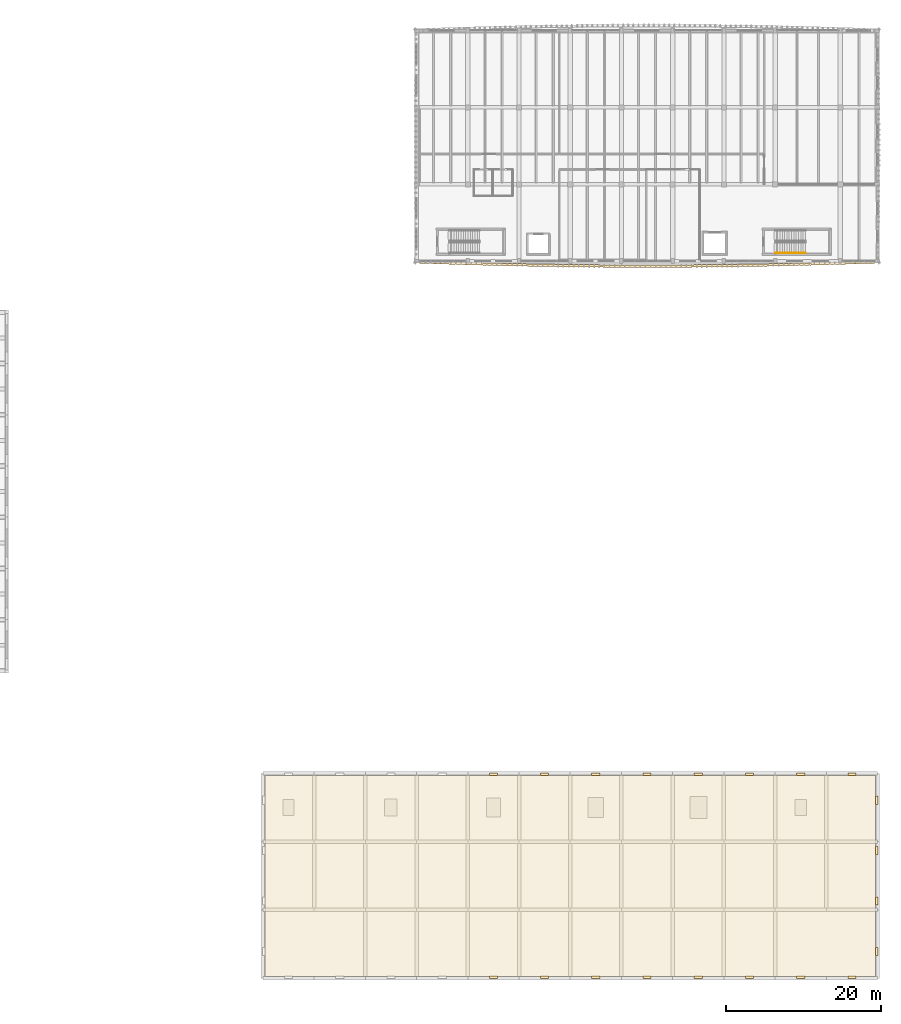
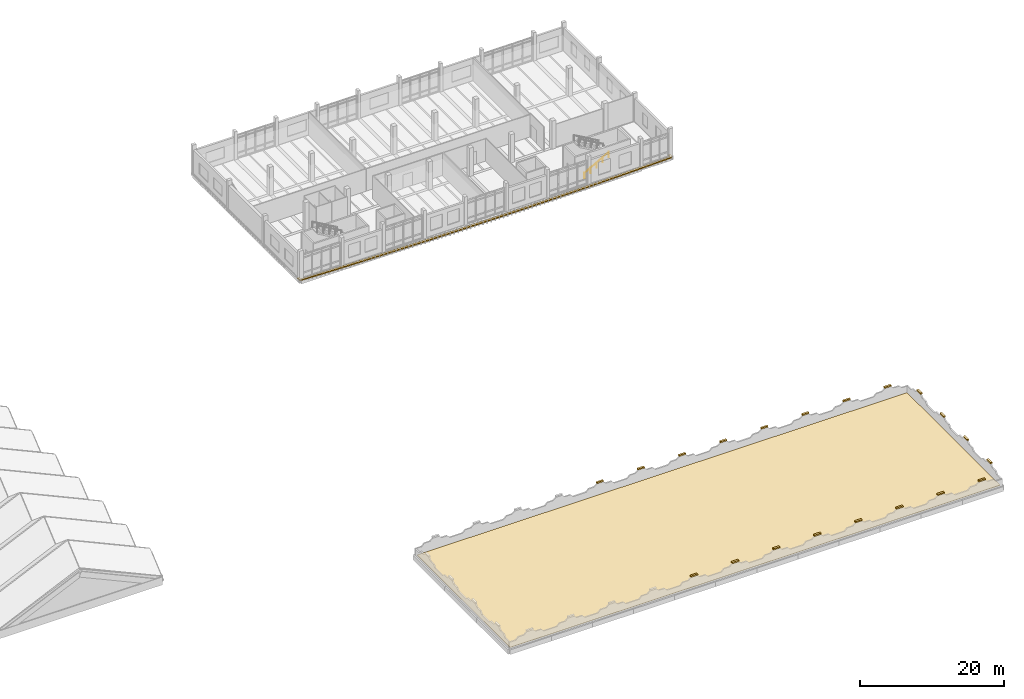
# One storey, part 40 of 50: 22 coverings, 1 railing.
"""IFC4 building model written with IfcOpenShell, lengths in metres."""

from ifc_helpers import new_model, si_unit, direction, frame, origin, origin_2d, place, context, subcontext, project, spatial, polyline, rectangle, circle, outline, extrude, material, layer, layer_set, type_object, element, save


model = new_model("IFC4")

# Units and contexts
model_context = context("Model", 3, precision=1e-05, world=origin(), true_north=direction((0.0, 1.0)))
body_context = subcontext(model_context, "Body", "Model", "MODEL_VIEW")
ifc_project = project(units=[si_unit("LENGTHUNIT", "METRE"), si_unit("AREAUNIT", "SQUARE_METRE"), si_unit("VOLUMEUNIT", "CUBIC_METRE"), si_unit("PLANEANGLEUNIT", "RADIAN"), si_unit("MASSUNIT", "GRAM", prefix="KILO")], contexts=[model_context])

# Site, building, storey
site_placement = place(None, origin())
site = spatial("IfcSite", under=ifc_project, at=site_placement, CompositionType="ELEMENT")
building_placement = place(site_placement, origin())
building = spatial("IfcBuilding", under=site, at=building_placement, Name="Dornvale Research Institute", CompositionType="ELEMENT")
storey_placement = place(building_placement, frame((0.0, 0.0, 19.800048828125)))
storey = spatial("IfcBuildingStorey", under=building, at=storey_placement, Name="L04", CompositionType="ELEMENT", Elevation=19.800048828125)

# Coverings
ifc_material_1 = material(Name="TPO High-Reflectance Cool Roof Membrane and Rigid Insulation")
ifc_layer_1 = layer(ifc_material_1, 0.06005859375)
ifc_layer_set_1 = layer_set([ifc_layer_1], Name="TPO High-Reflectance Cool Roof Membrane and Rigid Insulation")
covering_type_1 = type_object("IfcCoveringType", Name="Covering_CoolRoof_Membrane", PredefinedType="ROOFING", material=ifc_layer_set_1)
covering_1_placement = place(storey_placement, origin())
element("IfcCovering", 1, at=covering_1_placement, inside=storey, type_object=covering_type_1, Name="L04 V3-L04 cool roof membrane", PredefinedType="ROOFING", context=body_context, shape_type="SweptSolid", body=[
    extrude(outline(polyline([(99.25, 0.25), (177.949951171875, 0.25), (177.949951171875, 26.14990234375), (99.25, 26.14990234375), (99.25, 0.25)])), origin(), (0.0, 0.0, 1.0), 0.06005859375),
])
ifc_material_2 = material(Name="Polychrome Trencadis Glazed Ceramic Mosaic Coping")
ifc_layer_2 = layer(ifc_material_2, 0.300048828125)
ifc_layer_set_2 = layer_set([ifc_layer_2], Name="Polychrome Trencadis Glazed Ceramic Mosaic Coping")
covering_type_2 = type_object("IfcCoveringType", Name="Covering_Trencadis_Crown", PredefinedType="CLADDING", material=ifc_layer_set_2)
for number, where, z_axis, x_axis, name in (
    (2, (128.699951171875, 0.110107421875, 2.0), (0.0, 0.0, 1.0), (1.0, 0.0, 0.0), "L04 V3-L04 polychrome trencadis crown coping S-5"),
    (3, (135.300048828125, 0.110107421875, 2.0), (0.0, 0.0, 1.0), (1.0, 0.0, 0.0), "L04 V3-L04 polychrome trencadis crown coping S-6"),
    (4, (141.89990234375, 0.110107421875, 2.0), (0.0, 0.0, 1.0), (1.0, 0.0, 0.0), "L04 V3-L04 polychrome trencadis crown coping S-7"),
    (5, (148.5, 0.110107421875, 2.0), (0.0, 0.0, 1.0), (1.0, 0.0, 0.0), "L04 V3-L04 polychrome trencadis crown coping S-8"),
    (6, (155.10009765625, 0.110107421875, 2.0), (0.0, 0.0, 1.0), (1.0, 0.0, 0.0), "L04 V3-L04 polychrome trencadis crown coping S-9"),
    (7, (161.699951171875, 0.110107421875, 2.0), (0.0, 0.0, 1.0), (1.0, 0.0, 0.0), "L04 V3-L04 polychrome trencadis crown coping S-10"),
    (8, (168.300048828125, 0.110107421875, 2.0), (0.0, 0.0, 1.0), (1.0, 0.0, 0.0), "L04 V3-L04 polychrome trencadis crown coping S-11"),
    (9, (174.89990234375, 0.110107421875, 2.0), (0.0, 0.0, 1.0), (1.0, 0.0, 0.0), "L04 V3-L04 polychrome trencadis crown coping S-12"),
    (10, (128.699951171875, 26.2900390625, 2.0), (0.0, 0.0, 1.0), (1.0, 0.0, 0.0), "L04 V3-L04 polychrome trencadis crown coping N-5"),
    (11, (135.300048828125, 26.2900390625, 2.0), (0.0, 0.0, 1.0), (1.0, 0.0, 0.0), "L04 V3-L04 polychrome trencadis crown coping N-6"),
    (12, (141.89990234375, 26.2900390625, 2.0), (0.0, 0.0, 1.0), (1.0, 0.0, 0.0), "L04 V3-L04 polychrome trencadis crown coping N-7"),
    (13, (148.5, 26.2900390625, 2.0), (0.0, 0.0, 1.0), (1.0, 0.0, 0.0), "L04 V3-L04 polychrome trencadis crown coping N-8"),
    (14, (155.10009765625, 26.2900390625, 2.0), (0.0, 0.0, 1.0), (1.0, 0.0, 0.0), "L04 V3-L04 polychrome trencadis crown coping N-9"),
    (15, (161.699951171875, 26.2900390625, 2.0), (0.0, 0.0, 1.0), (1.0, 0.0, 0.0), "L04 V3-L04 polychrome trencadis crown coping N-10"),
    (16, (168.300048828125, 26.2900390625, 2.0), (0.0, 0.0, 1.0), (1.0, 0.0, 0.0), "L04 V3-L04 polychrome trencadis crown coping N-11"),
    (17, (174.89990234375, 26.2900390625, 2.0), (0.0, 0.0, 1.0), (1.0, 0.0, 0.0), "L04 V3-L04 polychrome trencadis crown coping N-12"),
):
    element("IfcCovering", number, at=place(storey_placement, frame(where, z_axis=z_axis, x_axis=x_axis)), inside=storey, type_object=covering_type_2, Name=name, PredefinedType="CLADDING", context=body_context, shape_type="SweptSolid", body=[
        extrude(rectangle(XDim=1.055908203125, YDim=0.300048828125, at=origin_2d()), origin(), (0.0, 0.0, 1.0), 0.219970703125),
    ])
for number, where, z_axis, x_axis, name in (
    (18, (178.090087890625, 3.465087890625, 2.0), (0.0, 0.0, 1.0), (0.0, 1.0, 0.0), "L04 V3-L04 polychrome trencadis crown coping E-1"),
    (19, (178.090087890625, 9.955078125, 2.0), (0.0, 0.0, 1.0), (0.0, 1.0, 0.0), "L04 V3-L04 polychrome trencadis crown coping E-2"),
    (20, (178.090087890625, 16.445068359375, 2.0), (0.0, 0.0, 1.0), (0.0, 1.0, 0.0), "L04 V3-L04 polychrome trencadis crown coping E-3"),
    (21, (178.090087890625, 22.93505859375, 2.0), (0.0, 0.0, 1.0), (0.0, 1.0, 0.0), "L04 V3-L04 polychrome trencadis crown coping E-4"),
):
    element("IfcCovering", number, at=place(storey_placement, frame(where, z_axis=z_axis, x_axis=x_axis)), inside=storey, type_object=covering_type_2, Name=name, PredefinedType="CLADDING", context=body_context, shape_type="SweptSolid", body=[
        extrude(rectangle(XDim=1.0380859375, YDim=0.300048828125, at=origin_2d()), origin(), (0.0, 0.0, 1.0), 0.219970703125),
    ])
ifc_material_3 = material(Name="Polychrome Glazed Terracotta Visor Rib Ceramic", Category="masonry")
ifc_layer_3 = layer(ifc_material_3, 0.179931640625)
ifc_layer_set_3 = layer_set([ifc_layer_3], Name="Polychrome Glazed Terracotta Visor Rib Ceramic")
covering_type_3 = type_object("IfcCoveringType", Name="Covering_VisorBrim_LowShelf", PredefinedType="CLADDING", material=ifc_layer_set_3)
covering_2_placement = place(storey_placement, frame((0.0, 0.0, -0.260009765625)))
element("IfcCovering", 22, at=covering_2_placement, inside=storey, type_object=covering_type_3, Name="L04 V4 canted bowed-brim visor hood #56", PredefinedType="CLADDING", context=body_context, shape_type="SweptSolid", body=[
    extrude(outline(polyline([(178.459228515625, 92.39990234375), (178.4404296875, 92.302978515625), (178.386474609375, 92.219970703125), (178.3056640625, 92.163330078125), (178.209228515625, 92.14111328125), (176.559326171875, 92.08154296875), (176.558837890625, 92.08154296875), (174.90869140625, 92.025390625), (174.908203125, 92.025390625), (173.25830078125, 91.972900390625), (173.2578125, 91.972900390625), (171.607666015625, 91.923583984375), (171.607177734375, 91.923583984375), (169.957275390625, 91.877685546875), (169.956787109375, 91.877685546875), (168.306640625, 91.835205078125), (168.30615234375, 91.835205078125), (166.656005859375, 91.79638671875), (166.655517578125, 91.79638671875), (165.005615234375, 91.7607421875), (165.005126953125, 91.760498046875), (163.35498046875, 91.728271484375), (163.3544921875, 91.728271484375), (161.70458984375, 91.699462890625), (161.7041015625, 91.699462890625), (160.053955078125, 91.674072265625), (160.053466796875, 91.674072265625), (158.403564453125, 91.65185546875), (158.40283203125, 91.65185546875), (156.7529296875, 91.63330078125), (156.75244140625, 91.63330078125), (155.102294921875, 91.617919921875), (155.101806640625, 91.617919921875), (153.451904296875, 91.606201171875), (153.451416015625, 91.606201171875), (151.80126953125, 91.59765625), (151.80078125, 91.59765625), (150.15087890625, 91.592529296875), (150.150390625, 91.592529296875), (148.500244140625, 91.5908203125), (148.499755859375, 91.5908203125), (146.849609375, 91.592529296875), (146.84912109375, 91.592529296875), (145.19921875, 91.59765625), (145.19873046875, 91.59765625), (143.548583984375, 91.606201171875), (143.548095703125, 91.606201171875), (141.898193359375, 91.617919921875), (141.897705078125, 91.617919921875), (140.24755859375, 91.63330078125), (140.2470703125, 91.63330078125), (138.59716796875, 91.65185546875), (138.596435546875, 91.65185546875), (136.946533203125, 91.674072265625), (136.946044921875, 91.674072265625), (135.2958984375, 91.699462890625), (135.29541015625, 91.699462890625), (133.6455078125, 91.728271484375), (133.64501953125, 91.728271484375), (131.994873046875, 91.760498046875), (131.994384765625, 91.7607421875), (130.344482421875, 91.79638671875), (130.343994140625, 91.79638671875), (128.69384765625, 91.835205078125), (128.693359375, 91.835205078125), (127.043212890625, 91.877685546875), (127.042724609375, 91.877685546875), (125.392822265625, 91.923583984375), (125.392333984375, 91.923583984375), (123.7421875, 91.972900390625), (123.74169921875, 91.972900390625), (122.091796875, 92.025390625), (122.09130859375, 92.025390625), (120.441162109375, 92.08154296875), (120.440673828125, 92.08154296875), (118.790771484375, 92.14111328125), (118.6943359375, 92.163330078125), (118.613525390625, 92.219970703125), (118.5595703125, 92.302978515625), (118.540771484375, 92.39990234375), (118.540771484375, 92.85009765625), (118.860107421875, 92.85009765625), (118.860107421875, 92.4580078125), (120.4521484375, 92.400634765625), (122.10205078125, 92.344482421875), (123.751953125, 92.2919921875), (125.401611328125, 92.24267578125), (127.051513671875, 92.197021484375), (128.701416015625, 92.154296875), (130.351318359375, 92.115478515625), (132.001220703125, 92.079833984375), (133.651123046875, 92.047607421875), (135.301025390625, 92.0185546875), (136.950927734375, 91.9931640625), (138.6005859375, 91.97119140625), (140.25048828125, 91.952392578125), (141.900390625, 91.937255859375), (143.55029296875, 91.92529296875), (145.2001953125, 91.916748046875), (146.85009765625, 91.91162109375), (148.5, 91.909912109375), (150.14990234375, 91.91162109375), (151.7998046875, 91.916748046875), (153.44970703125, 91.92529296875), (155.099609375, 91.937255859375), (156.74951171875, 91.952392578125), (158.3994140625, 91.97119140625), (160.049072265625, 91.9931640625), (161.698974609375, 92.0185546875), (163.348876953125, 92.047607421875), (164.998779296875, 92.079833984375), (166.648681640625, 92.115478515625), (168.298583984375, 92.154296875), (169.948486328125, 92.197021484375), (171.598388671875, 92.24267578125), (173.248046875, 92.2919921875), (174.89794921875, 92.344482421875), (176.5478515625, 92.400634765625), (178.139892578125, 92.4580078125), (178.139892578125, 92.85009765625), (178.459228515625, 92.85009765625), (178.459228515625, 92.39990234375)])), origin(), (0.0, 0.0, 1.0), 0.179931640625),
])

# Railing
ifc_material_4 = material(Name="Galvanized Painted Tubular Steel Stair Rail", Category="steel")
ifc_layer_4 = layer(ifc_material_4, 0.044921875)
ifc_layer_set_4 = layer_set([ifc_layer_4], Name="Galvanized Painted Tubular Steel Stair Rail")
railing_type = type_object("IfcRailingType", Name="Railing_Stair_Handrail_900", PredefinedType="HANDRAIL", material=ifc_layer_set_4)
railing_placement = place(storey_placement, frame((165.02001953125, 93.449951171875, 0.17138671875)))
element("IfcRailing", 23, at=railing_placement, inside=storey, type_object=railing_type, Name="L04 ST-4 stair handrail 1", PredefinedType="HANDRAIL", context=body_context, shape_type="SweptSolid", body=[
    extrude(circle(Radius=0.02392578125, at=origin_2d()), frame((0.0, 0.0, 0.8759765625), z_axis=(0.868243142124, 0.0, 0.496138938357), x_axis=(0.0, 1.0, 0.0)), (0.0, 0.0, 1.0), 4.49169921875),
    extrude(circle(Radius=0.02099609375, at=origin_2d()), origin(), (0.0, 0.0, 1.0), 0.851806640625),
    extrude(circle(Radius=0.02099609375, at=origin_2d()), frame((0.97509765625, 0.0, 0.55712890625)), (0.0, 0.0, 1.0), 0.851806640625),
    extrude(circle(Radius=0.02099609375, at=origin_2d()), frame((1.949951171875, 0.0, 1.1142578125)), (0.0, 0.0, 1.0), 0.851806640625),
    extrude(circle(Radius=0.02099609375, at=origin_2d()), frame((2.9248046875, 0.0, 1.67138671875)), (0.0, 0.0, 1.0), 0.851806640625),
    extrude(circle(Radius=0.02099609375, at=origin_2d()), frame((3.89990234375, 0.0, 2.228515625)), (0.0, 0.0, 1.0), 0.851806640625),
])

save(model, "model.ifc")
